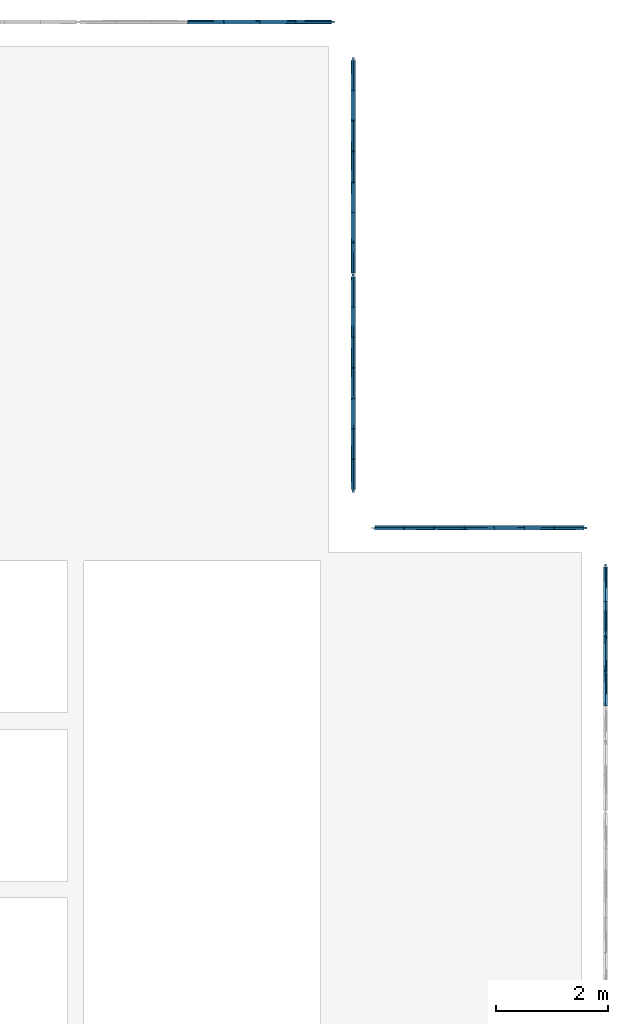
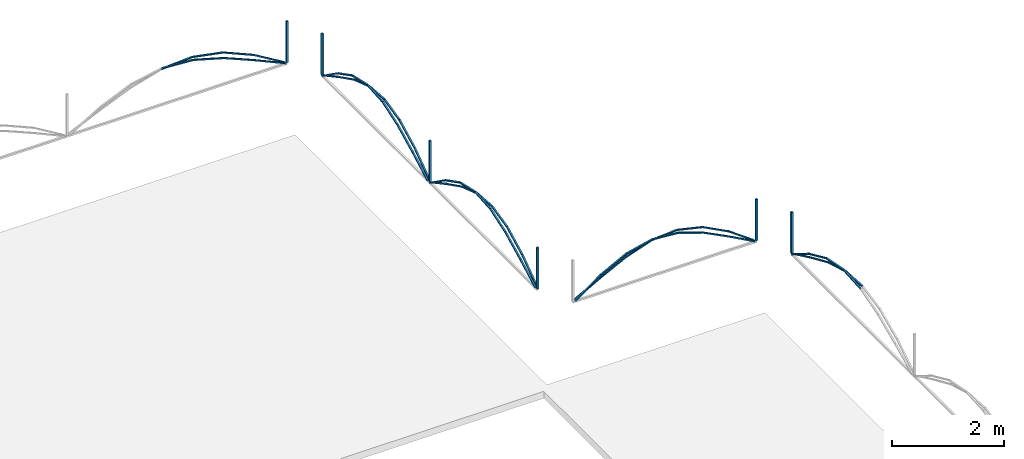
# One storey, part 9 of 9: 64 discrete accessories.
"""IFC4 building model written with IfcOpenShell, lengths in metres."""

from ifc_helpers import new_model, si_unit, direction, frame, origin, origin_2d, place, context, subcontext, project, spatial, rectangle, extrude, material, material_profile, profile_set, type_object, element, save


model = new_model("IFC4")

# Units and contexts
model_context = context("Model", 3, precision=1e-05, world=origin(), true_north=direction((0.0, 1.0)))
body_context = subcontext(model_context, "Body", "Model", "MODEL_VIEW")
ifc_project = project(units=[si_unit("LENGTHUNIT", "METRE"), si_unit("AREAUNIT", "SQUARE_METRE"), si_unit("VOLUMEUNIT", "CUBIC_METRE"), si_unit("PLANEANGLEUNIT", "RADIAN"), si_unit("MASSUNIT", "GRAM", prefix="KILO")], contexts=[model_context])

# Site, building, storey
site_placement = place(None, origin())
site = spatial("IfcSite", under=ifc_project, at=site_placement, CompositionType="ELEMENT")
building_placement = place(site_placement, origin())
building = spatial("IfcBuilding", under=site, at=building_placement, Name="Hortulan Conservatory and Botanical Research Centre", CompositionType="ELEMENT")
storey_placement = place(building_placement, frame((0.0, 0.0, 74.25)))
storey = spatial("IfcBuildingStorey", under=building, at=storey_placement, Name="MAIN ROOF", CompositionType="ELEMENT", Elevation=74.25)

# Discrete accessories
ifc_material = material(Name="Bronze-charcoal painted wrought iron", Category="metal")
ifc_material_profile_1 = material_profile(ifc_material, rectangle(XDim=0.0400390625, YDim=0.0400390625, at=origin_2d()), Name="Square bar 40x40")
ifc_profile_set_1 = profile_set([ifc_material_profile_1], Name="Bronze-charcoal painted wrought iron")
discrete_accessory_type_1 = type_object("IfcDiscreteAccessoryType", Name="Cresting Post 40x40", PredefinedType="USERDEFINED", material=ifc_profile_set_1)
for number, where, z_axis, x_axis, name in (
    (1, (27.0859375, 27.43603515625, 1.43994140625), (0.0, 0.0, 1.0), (1.0, 0.0, 0.0), "Cresting post"),
    (2, (27.43603515625, 26.785888671875, 1.43994140625), (0.0, 0.0, 1.0), (1.0, 0.0, 0.0), "Cresting post"),
    (3, (27.43603515625, 22.93603515625, 1.43994140625), (0.0, 0.0, 1.0), (1.0, 0.0, 0.0), "Cresting post"),
    (4, (27.43603515625, 19.0859375, 1.43994140625), (0.0, 0.0, 1.0), (1.0, 0.0, 0.0), "Cresting post"),
    (5, (31.574951171875, 18.43603515625, 1.43994140625), (0.0, 0.0, 1.0), (1.0, 0.0, 0.0), "Cresting post"),
    (6, (31.925048828125, 17.77490234375, 1.43994140625), (0.0, 0.0, 1.0), (1.0, 0.0, 0.0), "Cresting post"),
):
    element("IfcDiscreteAccessory", number, at=place(storey_placement, frame(where, z_axis=z_axis, x_axis=x_axis)), inside=storey, type_object=discrete_accessory_type_1, Name=name, ObjectType="Cresting post", PredefinedType="USERDEFINED", context=body_context, shape_type="SweptSolid", body=[
        extrude(rectangle(XDim=0.0400390625, YDim=0.0400390625, at=origin_2d()), origin(), (0.0, 0.0, 1.0), 0.900146484375),
    ])
ifc_material_profile_2 = material_profile(ifc_material, rectangle(XDim=0.034912109375, YDim=0.02490234375, at=origin_2d()), Name="Flat bar 35x25")
ifc_profile_set_2 = profile_set([ifc_material_profile_2], Name="Bronze-charcoal painted wrought iron")
discrete_accessory_type_2 = type_object("IfcDiscreteAccessoryType", Name="Whiplash Bar 35x25", PredefinedType="USERDEFINED", material=ifc_profile_set_2)
discrete_accessory_1_placement = place(storey_placement, frame((24.49560546875, 27.41845703125, 2.22412109375), z_axis=(0.997888726804, 0.0, -0.064946816063), x_axis=(0.0, 1.0, 0.0)))
element("IfcDiscreteAccessory", 7, at=discrete_accessory_1_placement, inside=storey, type_object=discrete_accessory_type_2, Name="Whiplash bar", ObjectType="Whiplash cresting bar", PredefinedType="USERDEFINED", context=body_context, shape_type="SweptSolid", body=[
    extrude(rectangle(XDim=0.034912109375, YDim=0.02490234375, at=origin_2d()), origin(), (0.0, 0.0, 1.0), 0.63916015625),
])
discrete_accessory_2_placement = place(storey_placement, frame((25.13330078125, 27.41845703125, 2.1826171875), z_axis=(0.961551726009, 0.0, -0.274623884993), x_axis=(0.0, 1.0, 0.0)))
element("IfcDiscreteAccessory", 8, at=discrete_accessory_2_placement, inside=storey, type_object=discrete_accessory_type_2, Name="Whiplash bar", ObjectType="Whiplash cresting bar", PredefinedType="USERDEFINED", context=body_context, shape_type="SweptSolid", body=[
    extrude(rectangle(XDim=0.034912109375, YDim=0.02490234375, at=origin_2d()), origin(), (0.0, 0.0, 1.0), 0.6630859375),
])
discrete_accessory_3_placement = place(storey_placement, frame((25.77099609375, 27.41845703125, 2.00048828125), z_axis=(0.920670117137, 0.0, -0.390341562494), x_axis=(0.0, 1.0, 0.0)))
element("IfcDiscreteAccessory", 9, at=discrete_accessory_3_placement, inside=storey, type_object=discrete_accessory_type_2, Name="Whiplash bar", ObjectType="Whiplash cresting bar", PredefinedType="USERDEFINED", context=body_context, shape_type="SweptSolid", body=[
    extrude(rectangle(XDim=0.034912109375, YDim=0.02490234375, at=origin_2d()), origin(), (0.0, 0.0, 1.0), 0.6923828125),
])
discrete_accessory_4_placement = place(storey_placement, frame((26.408447265625, 27.41845703125, 1.730224609375), z_axis=(0.910079774887, 0.0, -0.414433110816), x_axis=(0.0, 1.0, 0.0)))
element("IfcDiscreteAccessory", 10, at=discrete_accessory_4_placement, inside=storey, type_object=discrete_accessory_type_2, Name="Whiplash bar", ObjectType="Whiplash cresting bar", PredefinedType="USERDEFINED", context=body_context, shape_type="SweptSolid", body=[
    extrude(rectangle(XDim=0.034912109375, YDim=0.02490234375, at=origin_2d()), origin(), (0.0, 0.0, 1.0), 0.700439453125),
])
discrete_accessory_5_placement = place(storey_placement, frame((24.49560546875, 27.45361328125, 2.1826171875), z_axis=(0.997888726804, 0.0, 0.064946816063), x_axis=(0.0, 1.0, 0.0)))
element("IfcDiscreteAccessory", 11, at=discrete_accessory_5_placement, inside=storey, type_object=discrete_accessory_type_2, Name="Whiplash bar", ObjectType="Whiplash cresting bar", PredefinedType="USERDEFINED", context=body_context, shape_type="SweptSolid", body=[
    extrude(rectangle(XDim=0.034912109375, YDim=0.02490234375, at=origin_2d()), origin(), (0.0, 0.0, 1.0), 0.63916015625),
])
discrete_accessory_6_placement = place(storey_placement, frame((25.13330078125, 27.45361328125, 2.22412109375), z_axis=(0.981677929285, 0.0, -0.190547745079), x_axis=(0.0, 1.0, 0.0)))
element("IfcDiscreteAccessory", 12, at=discrete_accessory_6_placement, inside=storey, type_object=discrete_accessory_type_2, Name="Whiplash bar", ObjectType="Whiplash cresting bar", PredefinedType="USERDEFINED", context=body_context, shape_type="SweptSolid", body=[
    extrude(rectangle(XDim=0.034912109375, YDim=0.02490234375, at=origin_2d()), origin(), (0.0, 0.0, 1.0), 0.649658203125),
])
discrete_accessory_7_placement = place(storey_placement, frame((25.77099609375, 27.45361328125, 2.100341796875), z_axis=(0.917097974828, 0.0, -0.398661892543), x_axis=(0.0, 1.0, 0.0)))
element("IfcDiscreteAccessory", 13, at=discrete_accessory_7_placement, inside=storey, type_object=discrete_accessory_type_2, Name="Whiplash bar", ObjectType="Whiplash cresting bar", PredefinedType="USERDEFINED", context=body_context, shape_type="SweptSolid", body=[
    extrude(rectangle(XDim=0.034912109375, YDim=0.02490234375, at=origin_2d()), origin(), (0.0, 0.0, 1.0), 0.695068359375),
])
discrete_accessory_8_placement = place(storey_placement, frame((26.408447265625, 27.45361328125, 1.8232421875), z_axis=(0.857000192886, 0.0, -0.515316086875), x_axis=(0.0, 1.0, 0.0)))
element("IfcDiscreteAccessory", 14, at=discrete_accessory_8_placement, inside=storey, type_object=discrete_accessory_type_2, Name="Whiplash bar", ObjectType="Whiplash cresting bar", PredefinedType="USERDEFINED", context=body_context, shape_type="SweptSolid", body=[
    extrude(rectangle(XDim=0.034912109375, YDim=0.02490234375, at=origin_2d()), origin(), (0.0, 0.0, 1.0), 0.743896484375),
])
discrete_accessory_9_placement = place(storey_placement, frame((27.41845703125, 26.74609375, 1.43994140625), z_axis=(0.0, -0.814730446331, 0.579839891541), x_axis=(1.0, 0.0, 0.0)))
element("IfcDiscreteAccessory", 15, at=discrete_accessory_9_placement, inside=storey, type_object=discrete_accessory_type_2, Name="Whiplash bar", ObjectType="Whiplash cresting bar", PredefinedType="USERDEFINED", context=body_context, shape_type="SweptSolid", body=[
    extrude(rectangle(XDim=0.034912109375, YDim=0.02490234375, at=origin_2d()), origin(), (0.0, 0.0, 1.0), 0.6611328125),
])
discrete_accessory_10_placement = place(storey_placement, frame((27.41845703125, 26.20751953125, 1.8232421875), z_axis=(0.0, -0.889208160448, 0.457502838671), x_axis=(1.0, 0.0, 0.0)))
element("IfcDiscreteAccessory", 16, at=discrete_accessory_10_placement, inside=storey, type_object=discrete_accessory_type_2, Name="Whiplash bar", ObjectType="Whiplash cresting bar", PredefinedType="USERDEFINED", context=body_context, shape_type="SweptSolid", body=[
    extrude(rectangle(XDim=0.034912109375, YDim=0.02490234375, at=origin_2d()), origin(), (0.0, 0.0, 1.0), 0.605712890625),
])
discrete_accessory_11_placement = place(storey_placement, frame((27.41845703125, 25.6689453125, 2.100341796875), z_axis=(0.0, -0.974591846161, 0.223988243882), x_axis=(1.0, 0.0, 0.0)))
element("IfcDiscreteAccessory", 17, at=discrete_accessory_11_placement, inside=storey, type_object=discrete_accessory_type_2, Name="Whiplash bar", ObjectType="Whiplash cresting bar", PredefinedType="USERDEFINED", context=body_context, shape_type="SweptSolid", body=[
    extrude(rectangle(XDim=0.034912109375, YDim=0.02490234375, at=origin_2d()), origin(), (0.0, 0.0, 1.0), 0.552734375),
])
discrete_accessory_12_placement = place(storey_placement, frame((27.41845703125, 25.13037109375, 2.22412109375), z_axis=(0.0, -0.99704384135, -0.07683474752), x_axis=(1.0, 0.0, 0.0)))
element("IfcDiscreteAccessory", 18, at=discrete_accessory_12_placement, inside=storey, type_object=discrete_accessory_type_2, Name="Whiplash bar", ObjectType="Whiplash cresting bar", PredefinedType="USERDEFINED", context=body_context, shape_type="SweptSolid", body=[
    extrude(rectangle(XDim=0.034912109375, YDim=0.02490234375, at=origin_2d()), origin(), (0.0, 0.0, 1.0), 0.540283203125),
])
discrete_accessory_13_placement = place(storey_placement, frame((27.41845703125, 24.591796875, 2.1826171875), z_axis=(0.0, -0.947344238816, -0.320216947058), x_axis=(1.0, 0.0, 0.0)))
element("IfcDiscreteAccessory", 19, at=discrete_accessory_13_placement, inside=storey, type_object=discrete_accessory_type_2, Name="Whiplash bar", ObjectType="Whiplash cresting bar", PredefinedType="USERDEFINED", context=body_context, shape_type="SweptSolid", body=[
    extrude(rectangle(XDim=0.034912109375, YDim=0.02490234375, at=origin_2d()), origin(), (0.0, 0.0, 1.0), 0.56884765625),
])
discrete_accessory_14_placement = place(storey_placement, frame((27.41845703125, 24.052978515625, 2.00048828125), z_axis=(0.0, -0.893696452749, -0.448672096686), x_axis=(1.0, 0.0, 0.0)))
element("IfcDiscreteAccessory", 20, at=discrete_accessory_14_placement, inside=storey, type_object=discrete_accessory_type_2, Name="Whiplash bar", ObjectType="Whiplash cresting bar", PredefinedType="USERDEFINED", context=body_context, shape_type="SweptSolid", body=[
    extrude(rectangle(XDim=0.034912109375, YDim=0.02490234375, at=origin_2d()), origin(), (0.0, 0.0, 1.0), 0.602294921875),
])
for number, where, z_axis, x_axis, name in (
    (21, (27.41845703125, 23.5146484375, 1.730224609375), (0.0, -0.880278830151, -0.474456722144), (1.0, 0.0, 0.0), "Whiplash bar"),
    (22, (27.45361328125, 26.74609375, 1.43994140625), (0.0, -0.880278830151, 0.474456722144), (1.0, 0.0, 0.0), "Whiplash bar"),
):
    element("IfcDiscreteAccessory", number, at=place(storey_placement, frame(where, z_axis=z_axis, x_axis=x_axis)), inside=storey, type_object=discrete_accessory_type_2, Name=name, ObjectType="Whiplash cresting bar", PredefinedType="USERDEFINED", context=body_context, shape_type="SweptSolid", body=[
        extrude(rectangle(XDim=0.034912109375, YDim=0.02490234375, at=origin_2d()), origin(), (0.0, 0.0, 1.0), 0.61181640625),
    ])
discrete_accessory_15_placement = place(storey_placement, frame((27.45361328125, 26.20751953125, 1.730224609375), z_axis=(0.0, -0.893777998932, 0.448509630471), x_axis=(1.0, 0.0, 0.0)))
element("IfcDiscreteAccessory", 23, at=discrete_accessory_15_placement, inside=storey, type_object=discrete_accessory_type_2, Name="Whiplash bar", ObjectType="Whiplash cresting bar", PredefinedType="USERDEFINED", context=body_context, shape_type="SweptSolid", body=[
    extrude(rectangle(XDim=0.034912109375, YDim=0.02490234375, at=origin_2d()), origin(), (0.0, 0.0, 1.0), 0.6025390625),
])
discrete_accessory_16_placement = place(storey_placement, frame((27.45361328125, 25.6689453125, 2.00048828125), z_axis=(0.0, -0.947300197623, 0.320347210982), x_axis=(1.0, 0.0, 0.0)))
element("IfcDiscreteAccessory", 24, at=discrete_accessory_16_placement, inside=storey, type_object=discrete_accessory_type_2, Name="Whiplash bar", ObjectType="Whiplash cresting bar", PredefinedType="USERDEFINED", context=body_context, shape_type="SweptSolid", body=[
    extrude(rectangle(XDim=0.034912109375, YDim=0.02490234375, at=origin_2d()), origin(), (0.0, 0.0, 1.0), 0.568603515625),
])
discrete_accessory_17_placement = place(storey_placement, frame((27.45361328125, 25.13037109375, 2.1826171875), z_axis=(0.0, -0.99704384135, 0.07683474752), x_axis=(1.0, 0.0, 0.0)))
element("IfcDiscreteAccessory", 25, at=discrete_accessory_17_placement, inside=storey, type_object=discrete_accessory_type_2, Name="Whiplash bar", ObjectType="Whiplash cresting bar", PredefinedType="USERDEFINED", context=body_context, shape_type="SweptSolid", body=[
    extrude(rectangle(XDim=0.034912109375, YDim=0.02490234375, at=origin_2d()), origin(), (0.0, 0.0, 1.0), 0.540283203125),
])
discrete_accessory_18_placement = place(storey_placement, frame((27.45361328125, 24.591796875, 2.22412109375), z_axis=(0.0, -0.974613996852, -0.223891842503), x_axis=(1.0, 0.0, 0.0)))
element("IfcDiscreteAccessory", 26, at=discrete_accessory_18_placement, inside=storey, type_object=discrete_accessory_type_2, Name="Whiplash bar", ObjectType="Whiplash cresting bar", PredefinedType="USERDEFINED", context=body_context, shape_type="SweptSolid", body=[
    extrude(rectangle(XDim=0.034912109375, YDim=0.02490234375, at=origin_2d()), origin(), (0.0, 0.0, 1.0), 0.552734375),
])
discrete_accessory_19_placement = place(storey_placement, frame((27.45361328125, 24.052978515625, 2.100341796875), z_axis=(0.0, -0.889123745559, -0.457666871297), x_axis=(1.0, 0.0, 0.0)))
element("IfcDiscreteAccessory", 27, at=discrete_accessory_19_placement, inside=storey, type_object=discrete_accessory_type_2, Name="Whiplash bar", ObjectType="Whiplash cresting bar", PredefinedType="USERDEFINED", context=body_context, shape_type="SweptSolid", body=[
    extrude(rectangle(XDim=0.034912109375, YDim=0.02490234375, at=origin_2d()), origin(), (0.0, 0.0, 1.0), 0.60546875),
])
for number, where, z_axis, x_axis, name in (
    (28, (27.45361328125, 23.5146484375, 1.8232421875), (0.0, -0.814730446331, -0.579839891541), (1.0, 0.0, 0.0), "Whiplash bar"),
    (29, (27.41845703125, 22.89599609375, 1.43994140625), (0.0, -0.814730446331, 0.579839891541), (1.0, 0.0, 0.0), "Whiplash bar"),
):
    element("IfcDiscreteAccessory", number, at=place(storey_placement, frame(where, z_axis=z_axis, x_axis=x_axis)), inside=storey, type_object=discrete_accessory_type_2, Name=name, ObjectType="Whiplash cresting bar", PredefinedType="USERDEFINED", context=body_context, shape_type="SweptSolid", body=[
        extrude(rectangle(XDim=0.034912109375, YDim=0.02490234375, at=origin_2d()), origin(), (0.0, 0.0, 1.0), 0.6611328125),
    ])
discrete_accessory_20_placement = place(storey_placement, frame((27.41845703125, 22.357421875, 1.8232421875), z_axis=(0.0, -0.889208160448, 0.457502838671), x_axis=(1.0, 0.0, 0.0)))
element("IfcDiscreteAccessory", 30, at=discrete_accessory_20_placement, inside=storey, type_object=discrete_accessory_type_2, Name="Whiplash bar", ObjectType="Whiplash cresting bar", PredefinedType="USERDEFINED", context=body_context, shape_type="SweptSolid", body=[
    extrude(rectangle(XDim=0.034912109375, YDim=0.02490234375, at=origin_2d()), origin(), (0.0, 0.0, 1.0), 0.605712890625),
])
discrete_accessory_21_placement = place(storey_placement, frame((27.41845703125, 21.81884765625, 2.100341796875), z_axis=(0.0, -0.974591846161, 0.223988243882), x_axis=(1.0, 0.0, 0.0)))
element("IfcDiscreteAccessory", 31, at=discrete_accessory_21_placement, inside=storey, type_object=discrete_accessory_type_2, Name="Whiplash bar", ObjectType="Whiplash cresting bar", PredefinedType="USERDEFINED", context=body_context, shape_type="SweptSolid", body=[
    extrude(rectangle(XDim=0.034912109375, YDim=0.02490234375, at=origin_2d()), origin(), (0.0, 0.0, 1.0), 0.552734375),
])
discrete_accessory_22_placement = place(storey_placement, frame((27.41845703125, 21.2802734375, 2.22412109375), z_axis=(0.0, -0.99704384135, -0.07683474752), x_axis=(1.0, 0.0, 0.0)))
element("IfcDiscreteAccessory", 32, at=discrete_accessory_22_placement, inside=storey, type_object=discrete_accessory_type_2, Name="Whiplash bar", ObjectType="Whiplash cresting bar", PredefinedType="USERDEFINED", context=body_context, shape_type="SweptSolid", body=[
    extrude(rectangle(XDim=0.034912109375, YDim=0.02490234375, at=origin_2d()), origin(), (0.0, 0.0, 1.0), 0.540283203125),
])
discrete_accessory_23_placement = place(storey_placement, frame((27.41845703125, 20.74169921875, 2.1826171875), z_axis=(0.0, -0.947300197623, -0.320347210982), x_axis=(1.0, 0.0, 0.0)))
element("IfcDiscreteAccessory", 33, at=discrete_accessory_23_placement, inside=storey, type_object=discrete_accessory_type_2, Name="Whiplash bar", ObjectType="Whiplash cresting bar", PredefinedType="USERDEFINED", context=body_context, shape_type="SweptSolid", body=[
    extrude(rectangle(XDim=0.034912109375, YDim=0.02490234375, at=origin_2d()), origin(), (0.0, 0.0, 1.0), 0.568603515625),
])
discrete_accessory_24_placement = place(storey_placement, frame((27.41845703125, 20.203125, 2.00048828125), z_axis=(0.0, -0.893777998932, -0.448509630471), x_axis=(1.0, 0.0, 0.0)))
element("IfcDiscreteAccessory", 34, at=discrete_accessory_24_placement, inside=storey, type_object=discrete_accessory_type_2, Name="Whiplash bar", ObjectType="Whiplash cresting bar", PredefinedType="USERDEFINED", context=body_context, shape_type="SweptSolid", body=[
    extrude(rectangle(XDim=0.034912109375, YDim=0.02490234375, at=origin_2d()), origin(), (0.0, 0.0, 1.0), 0.6025390625),
])
for number, where, z_axis, x_axis, name in (
    (35, (27.41845703125, 19.66455078125, 1.730224609375), (0.0, -0.880278830151, -0.474456722144), (1.0, 0.0, 0.0), "Whiplash bar"),
    (36, (27.45361328125, 22.89599609375, 1.43994140625), (0.0, -0.880278830151, 0.474456722144), (1.0, 0.0, 0.0), "Whiplash bar"),
):
    element("IfcDiscreteAccessory", number, at=place(storey_placement, frame(where, z_axis=z_axis, x_axis=x_axis)), inside=storey, type_object=discrete_accessory_type_2, Name=name, ObjectType="Whiplash cresting bar", PredefinedType="USERDEFINED", context=body_context, shape_type="SweptSolid", body=[
        extrude(rectangle(XDim=0.034912109375, YDim=0.02490234375, at=origin_2d()), origin(), (0.0, 0.0, 1.0), 0.61181640625),
    ])
discrete_accessory_25_placement = place(storey_placement, frame((27.45361328125, 22.357421875, 1.730224609375), z_axis=(0.0, -0.893777998932, 0.448509630471), x_axis=(1.0, 0.0, 0.0)))
element("IfcDiscreteAccessory", 37, at=discrete_accessory_25_placement, inside=storey, type_object=discrete_accessory_type_2, Name="Whiplash bar", ObjectType="Whiplash cresting bar", PredefinedType="USERDEFINED", context=body_context, shape_type="SweptSolid", body=[
    extrude(rectangle(XDim=0.034912109375, YDim=0.02490234375, at=origin_2d()), origin(), (0.0, 0.0, 1.0), 0.6025390625),
])
discrete_accessory_26_placement = place(storey_placement, frame((27.45361328125, 21.81884765625, 2.00048828125), z_axis=(0.0, -0.947300197623, 0.320347210982), x_axis=(1.0, 0.0, 0.0)))
element("IfcDiscreteAccessory", 38, at=discrete_accessory_26_placement, inside=storey, type_object=discrete_accessory_type_2, Name="Whiplash bar", ObjectType="Whiplash cresting bar", PredefinedType="USERDEFINED", context=body_context, shape_type="SweptSolid", body=[
    extrude(rectangle(XDim=0.034912109375, YDim=0.02490234375, at=origin_2d()), origin(), (0.0, 0.0, 1.0), 0.568603515625),
])
discrete_accessory_27_placement = place(storey_placement, frame((27.45361328125, 21.2802734375, 2.1826171875), z_axis=(0.0, -0.99704384135, 0.07683474752), x_axis=(1.0, 0.0, 0.0)))
element("IfcDiscreteAccessory", 39, at=discrete_accessory_27_placement, inside=storey, type_object=discrete_accessory_type_2, Name="Whiplash bar", ObjectType="Whiplash cresting bar", PredefinedType="USERDEFINED", context=body_context, shape_type="SweptSolid", body=[
    extrude(rectangle(XDim=0.034912109375, YDim=0.02490234375, at=origin_2d()), origin(), (0.0, 0.0, 1.0), 0.540283203125),
])
discrete_accessory_28_placement = place(storey_placement, frame((27.45361328125, 20.74169921875, 2.22412109375), z_axis=(0.0, -0.974591846161, -0.223988243882), x_axis=(1.0, 0.0, 0.0)))
element("IfcDiscreteAccessory", 40, at=discrete_accessory_28_placement, inside=storey, type_object=discrete_accessory_type_2, Name="Whiplash bar", ObjectType="Whiplash cresting bar", PredefinedType="USERDEFINED", context=body_context, shape_type="SweptSolid", body=[
    extrude(rectangle(XDim=0.034912109375, YDim=0.02490234375, at=origin_2d()), origin(), (0.0, 0.0, 1.0), 0.552734375),
])
discrete_accessory_29_placement = place(storey_placement, frame((27.45361328125, 20.203125, 2.100341796875), z_axis=(0.0, -0.889208160448, -0.457502838671), x_axis=(1.0, 0.0, 0.0)))
element("IfcDiscreteAccessory", 41, at=discrete_accessory_29_placement, inside=storey, type_object=discrete_accessory_type_2, Name="Whiplash bar", ObjectType="Whiplash cresting bar", PredefinedType="USERDEFINED", context=body_context, shape_type="SweptSolid", body=[
    extrude(rectangle(XDim=0.034912109375, YDim=0.02490234375, at=origin_2d()), origin(), (0.0, 0.0, 1.0), 0.605712890625),
])
discrete_accessory_30_placement = place(storey_placement, frame((27.45361328125, 19.66455078125, 1.8232421875), z_axis=(0.0, -0.814730446331, -0.579839891541), x_axis=(1.0, 0.0, 0.0)))
element("IfcDiscreteAccessory", 42, at=discrete_accessory_30_placement, inside=storey, type_object=discrete_accessory_type_2, Name="Whiplash bar", ObjectType="Whiplash cresting bar", PredefinedType="USERDEFINED", context=body_context, shape_type="SweptSolid", body=[
    extrude(rectangle(XDim=0.034912109375, YDim=0.02490234375, at=origin_2d()), origin(), (0.0, 0.0, 1.0), 0.6611328125),
])
discrete_accessory_31_placement = place(storey_placement, frame((27.825927734375, 18.41845703125, 1.43994140625), z_axis=(0.810314911657, 0.0, 0.585994662046), x_axis=(0.0, 1.0, 0.0)))
element("IfcDiscreteAccessory", 43, at=discrete_accessory_31_placement, inside=storey, type_object=discrete_accessory_type_2, Name="Whiplash bar", ObjectType="Whiplash cresting bar", PredefinedType="USERDEFINED", context=body_context, shape_type="SweptSolid", body=[
    extrude(rectangle(XDim=0.034912109375, YDim=0.02490234375, at=origin_2d()), origin(), (0.0, 0.0, 1.0), 0.654052734375),
])
discrete_accessory_32_placement = place(storey_placement, frame((28.35595703125, 18.41845703125, 1.8232421875), z_axis=(0.886111113198, 0.0, 0.463472863355), x_axis=(0.0, 1.0, 0.0)))
element("IfcDiscreteAccessory", 44, at=discrete_accessory_32_placement, inside=storey, type_object=discrete_accessory_type_2, Name="Whiplash bar", ObjectType="Whiplash cresting bar", PredefinedType="USERDEFINED", context=body_context, shape_type="SweptSolid", body=[
    extrude(rectangle(XDim=0.034912109375, YDim=0.02490234375, at=origin_2d()), origin(), (0.0, 0.0, 1.0), 0.597900390625),
])
discrete_accessory_33_placement = place(storey_placement, frame((28.8857421875, 18.41845703125, 2.100341796875), z_axis=(0.973774968001, 0.0, 0.227513322017), x_axis=(0.0, 1.0, 0.0)))
element("IfcDiscreteAccessory", 45, at=discrete_accessory_33_placement, inside=storey, type_object=discrete_accessory_type_2, Name="Whiplash bar", ObjectType="Whiplash cresting bar", PredefinedType="USERDEFINED", context=body_context, shape_type="SweptSolid", body=[
    extrude(rectangle(XDim=0.034912109375, YDim=0.02490234375, at=origin_2d()), origin(), (0.0, 0.0, 1.0), 0.5439453125),
])
discrete_accessory_34_placement = place(storey_placement, frame((29.41552734375, 18.41845703125, 2.22412109375), z_axis=(0.996945395907, 0.0, -0.078101713043), x_axis=(0.0, 1.0, 0.0)))
element("IfcDiscreteAccessory", 46, at=discrete_accessory_34_placement, inside=storey, type_object=discrete_accessory_type_2, Name="Whiplash bar", ObjectType="Whiplash cresting bar", PredefinedType="USERDEFINED", context=body_context, shape_type="SweptSolid", body=[
    extrude(rectangle(XDim=0.034912109375, YDim=0.02490234375, at=origin_2d()), origin(), (0.0, 0.0, 1.0), 0.531494140625),
])
discrete_accessory_35_placement = place(storey_placement, frame((29.9453125, 18.41845703125, 2.1826171875), z_axis=(0.945724257649, 0.0, -0.324970196318), x_axis=(0.0, 1.0, 0.0)))
element("IfcDiscreteAccessory", 47, at=discrete_accessory_35_placement, inside=storey, type_object=discrete_accessory_type_2, Name="Whiplash bar", ObjectType="Whiplash cresting bar", PredefinedType="USERDEFINED", context=body_context, shape_type="SweptSolid", body=[
    extrude(rectangle(XDim=0.034912109375, YDim=0.02490234375, at=origin_2d()), origin(), (0.0, 0.0, 1.0), 0.560546875),
])
discrete_accessory_36_placement = place(storey_placement, frame((30.475341796875, 18.41845703125, 2.00048828125), z_axis=(0.890785608595, 0.0, -0.454423810468), x_axis=(0.0, 1.0, 0.0)))
element("IfcDiscreteAccessory", 48, at=discrete_accessory_36_placement, inside=storey, type_object=discrete_accessory_type_2, Name="Whiplash bar", ObjectType="Whiplash cresting bar", PredefinedType="USERDEFINED", context=body_context, shape_type="SweptSolid", body=[
    extrude(rectangle(XDim=0.034912109375, YDim=0.02490234375, at=origin_2d()), origin(), (0.0, 0.0, 1.0), 0.5947265625),
])
discrete_accessory_37_placement = place(storey_placement, frame((31.005126953125, 18.41845703125, 1.730224609375), z_axis=(0.87698273884, 0.0, -0.480521878562), x_axis=(0.0, 1.0, 0.0)))
element("IfcDiscreteAccessory", 49, at=discrete_accessory_37_placement, inside=storey, type_object=discrete_accessory_type_2, Name="Whiplash bar", ObjectType="Whiplash cresting bar", PredefinedType="USERDEFINED", context=body_context, shape_type="SweptSolid", body=[
    extrude(rectangle(XDim=0.034912109375, YDim=0.02490234375, at=origin_2d()), origin(), (0.0, 0.0, 1.0), 0.60400390625),
])
discrete_accessory_38_placement = place(storey_placement, frame((27.825927734375, 18.45361328125, 1.43994140625), z_axis=(0.87707600558, 0.0, 0.480351621665), x_axis=(0.0, 1.0, 0.0)))
element("IfcDiscreteAccessory", 50, at=discrete_accessory_38_placement, inside=storey, type_object=discrete_accessory_type_2, Name="Whiplash bar", ObjectType="Whiplash cresting bar", PredefinedType="USERDEFINED", context=body_context, shape_type="SweptSolid", body=[
    extrude(rectangle(XDim=0.034912109375, YDim=0.02490234375, at=origin_2d()), origin(), (0.0, 0.0, 1.0), 0.604248046875),
])
discrete_accessory_39_placement = place(storey_placement, frame((28.35595703125, 18.45361328125, 1.730224609375), z_axis=(0.890785608595, 0.0, 0.454423810468), x_axis=(0.0, 1.0, 0.0)))
element("IfcDiscreteAccessory", 51, at=discrete_accessory_39_placement, inside=storey, type_object=discrete_accessory_type_2, Name="Whiplash bar", ObjectType="Whiplash cresting bar", PredefinedType="USERDEFINED", context=body_context, shape_type="SweptSolid", body=[
    extrude(rectangle(XDim=0.034912109375, YDim=0.02490234375, at=origin_2d()), origin(), (0.0, 0.0, 1.0), 0.5947265625),
])
discrete_accessory_40_placement = place(storey_placement, frame((28.8857421875, 18.45361328125, 2.00048828125), z_axis=(0.94567822561, 0.0, 0.32510412733), x_axis=(0.0, 1.0, 0.0)))
element("IfcDiscreteAccessory", 52, at=discrete_accessory_40_placement, inside=storey, type_object=discrete_accessory_type_2, Name="Whiplash bar", ObjectType="Whiplash cresting bar", PredefinedType="USERDEFINED", context=body_context, shape_type="SweptSolid", body=[
    extrude(rectangle(XDim=0.034912109375, YDim=0.02490234375, at=origin_2d()), origin(), (0.0, 0.0, 1.0), 0.560302734375),
])
discrete_accessory_41_placement = place(storey_placement, frame((29.41552734375, 18.45361328125, 2.1826171875), z_axis=(0.996945395907, 0.0, 0.078101713043), x_axis=(0.0, 1.0, 0.0)))
element("IfcDiscreteAccessory", 53, at=discrete_accessory_41_placement, inside=storey, type_object=discrete_accessory_type_2, Name="Whiplash bar", ObjectType="Whiplash cresting bar", PredefinedType="USERDEFINED", context=body_context, shape_type="SweptSolid", body=[
    extrude(rectangle(XDim=0.034912109375, YDim=0.02490234375, at=origin_2d()), origin(), (0.0, 0.0, 1.0), 0.531494140625),
])
discrete_accessory_42_placement = place(storey_placement, frame((29.9453125, 18.45361328125, 2.22412109375), z_axis=(0.973798180823, 0.0, -0.22741394642), x_axis=(0.0, 1.0, 0.0)))
element("IfcDiscreteAccessory", 54, at=discrete_accessory_42_placement, inside=storey, type_object=discrete_accessory_type_2, Name="Whiplash bar", ObjectType="Whiplash cresting bar", PredefinedType="USERDEFINED", context=body_context, shape_type="SweptSolid", body=[
    extrude(rectangle(XDim=0.034912109375, YDim=0.02490234375, at=origin_2d()), origin(), (0.0, 0.0, 1.0), 0.544189453125),
])
discrete_accessory_43_placement = place(storey_placement, frame((30.475341796875, 18.45361328125, 2.100341796875), z_axis=(0.886111113198, 0.0, -0.463472863355), x_axis=(0.0, 1.0, 0.0)))
element("IfcDiscreteAccessory", 55, at=discrete_accessory_43_placement, inside=storey, type_object=discrete_accessory_type_2, Name="Whiplash bar", ObjectType="Whiplash cresting bar", PredefinedType="USERDEFINED", context=body_context, shape_type="SweptSolid", body=[
    extrude(rectangle(XDim=0.034912109375, YDim=0.02490234375, at=origin_2d()), origin(), (0.0, 0.0, 1.0), 0.597900390625),
])
discrete_accessory_44_placement = place(storey_placement, frame((31.005126953125, 18.45361328125, 1.8232421875), z_axis=(0.810186684983, 0.0, -0.586171933375), x_axis=(0.0, 1.0, 0.0)))
element("IfcDiscreteAccessory", 56, at=discrete_accessory_44_placement, inside=storey, type_object=discrete_accessory_type_2, Name="Whiplash bar", ObjectType="Whiplash cresting bar", PredefinedType="USERDEFINED", context=body_context, shape_type="SweptSolid", body=[
    extrude(rectangle(XDim=0.034912109375, YDim=0.02490234375, at=origin_2d()), origin(), (0.0, 0.0, 1.0), 0.65380859375),
])
discrete_accessory_45_placement = place(storey_placement, frame((31.907470703125, 17.735107421875, 1.43994140625), z_axis=(0.0, -0.848848445952, 0.528636279312), x_axis=(1.0, 0.0, 0.0)))
element("IfcDiscreteAccessory", 57, at=discrete_accessory_45_placement, inside=storey, type_object=discrete_accessory_type_2, Name="Whiplash bar", ObjectType="Whiplash cresting bar", PredefinedType="USERDEFINED", context=body_context, shape_type="SweptSolid", body=[
    extrude(rectangle(XDim=0.034912109375, YDim=0.02490234375, at=origin_2d()), origin(), (0.0, 0.0, 1.0), 0.72509765625),
])
discrete_accessory_46_placement = place(storey_placement, frame((31.907470703125, 17.11962890625, 1.8232421875), z_axis=(0.0, -0.911786055171, 0.41066554469), x_axis=(1.0, 0.0, 0.0)))
element("IfcDiscreteAccessory", 58, at=discrete_accessory_46_placement, inside=storey, type_object=discrete_accessory_type_2, Name="Whiplash bar", ObjectType="Whiplash cresting bar", PredefinedType="USERDEFINED", context=body_context, shape_type="SweptSolid", body=[
    extrude(rectangle(XDim=0.034912109375, YDim=0.02490234375, at=origin_2d()), origin(), (0.0, 0.0, 1.0), 0.6748046875),
])
discrete_accessory_47_placement = place(storey_placement, frame((31.907470703125, 16.50439453125, 2.100341796875), z_axis=(0.0, -0.980370718915, 0.197163012491), x_axis=(1.0, 0.0, 0.0)))
element("IfcDiscreteAccessory", 59, at=discrete_accessory_47_placement, inside=storey, type_object=discrete_accessory_type_2, Name="Whiplash bar", ObjectType="Whiplash cresting bar", PredefinedType="USERDEFINED", context=body_context, shape_type="SweptSolid", body=[
    extrude(rectangle(XDim=0.034912109375, YDim=0.02490234375, at=origin_2d()), origin(), (0.0, 0.0, 1.0), 0.627685546875),
])
discrete_accessory_48_placement = place(storey_placement, frame((31.907470703125, 15.888916015625, 2.22412109375), z_axis=(0.0, -0.997732289937, -0.06730733702), x_axis=(1.0, 0.0, 0.0)))
element("IfcDiscreteAccessory", 60, at=discrete_accessory_48_placement, inside=storey, type_object=discrete_accessory_type_2, Name="Whiplash bar", ObjectType="Whiplash cresting bar", PredefinedType="USERDEFINED", context=body_context, shape_type="SweptSolid", body=[
    extrude(rectangle(XDim=0.034912109375, YDim=0.02490234375, at=origin_2d()), origin(), (0.0, 0.0, 1.0), 0.61669921875),
])
discrete_accessory_49_placement = place(storey_placement, frame((31.9423828125, 17.735107421875, 1.43994140625), z_axis=(0.0, -0.904452486438, 0.426574377777), x_axis=(1.0, 0.0, 0.0)))
element("IfcDiscreteAccessory", 61, at=discrete_accessory_49_placement, inside=storey, type_object=discrete_accessory_type_2, Name="Whiplash bar", ObjectType="Whiplash cresting bar", PredefinedType="USERDEFINED", context=body_context, shape_type="SweptSolid", body=[
    extrude(rectangle(XDim=0.034912109375, YDim=0.02490234375, at=origin_2d()), origin(), (0.0, 0.0, 1.0), 0.680419921875),
])
discrete_accessory_50_placement = place(storey_placement, frame((31.9423828125, 17.11962890625, 1.730224609375), z_axis=(0.0, -0.915555942631, 0.402190646227), x_axis=(1.0, 0.0, 0.0)))
element("IfcDiscreteAccessory", 62, at=discrete_accessory_50_placement, inside=storey, type_object=discrete_accessory_type_2, Name="Whiplash bar", ObjectType="Whiplash cresting bar", PredefinedType="USERDEFINED", context=body_context, shape_type="SweptSolid", body=[
    extrude(rectangle(XDim=0.034912109375, YDim=0.02490234375, at=origin_2d()), origin(), (0.0, 0.0, 1.0), 0.671875),
])
discrete_accessory_51_placement = place(storey_placement, frame((31.9423828125, 16.50439453125, 2.00048828125), z_axis=(0.0, -0.958897821209, 0.283751596439), x_axis=(1.0, 0.0, 0.0)))
element("IfcDiscreteAccessory", 63, at=discrete_accessory_51_placement, inside=storey, type_object=discrete_accessory_type_2, Name="Whiplash bar", ObjectType="Whiplash cresting bar", PredefinedType="USERDEFINED", context=body_context, shape_type="SweptSolid", body=[
    extrude(rectangle(XDim=0.034912109375, YDim=0.02490234375, at=origin_2d()), origin(), (0.0, 0.0, 1.0), 0.641845703125),
])
discrete_accessory_52_placement = place(storey_placement, frame((31.9423828125, 15.888916015625, 2.1826171875), z_axis=(0.0, -0.997732289937, 0.06730733702), x_axis=(1.0, 0.0, 0.0)))
element("IfcDiscreteAccessory", 64, at=discrete_accessory_52_placement, inside=storey, type_object=discrete_accessory_type_2, Name="Whiplash bar", ObjectType="Whiplash cresting bar", PredefinedType="USERDEFINED", context=body_context, shape_type="SweptSolid", body=[
    extrude(rectangle(XDim=0.034912109375, YDim=0.02490234375, at=origin_2d()), origin(), (0.0, 0.0, 1.0), 0.61669921875),
])

save(model, "model.ifc")
